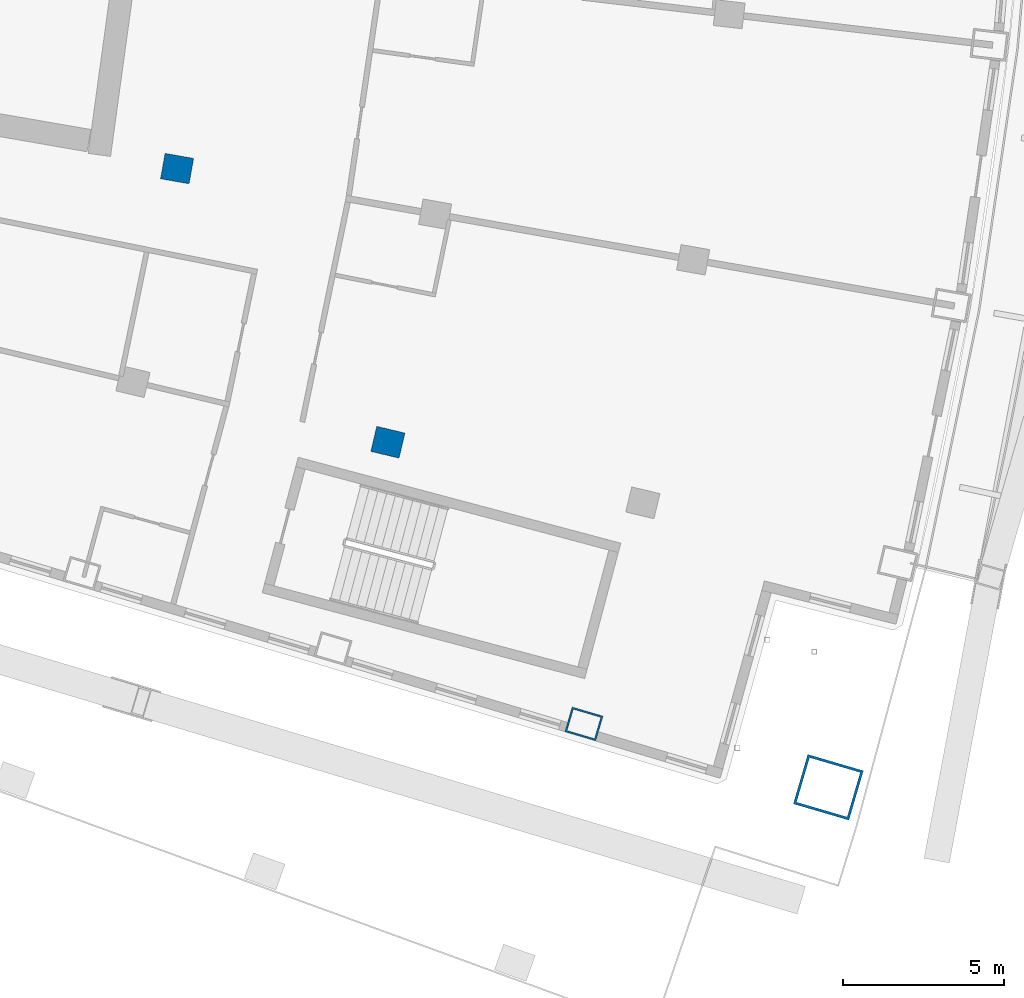
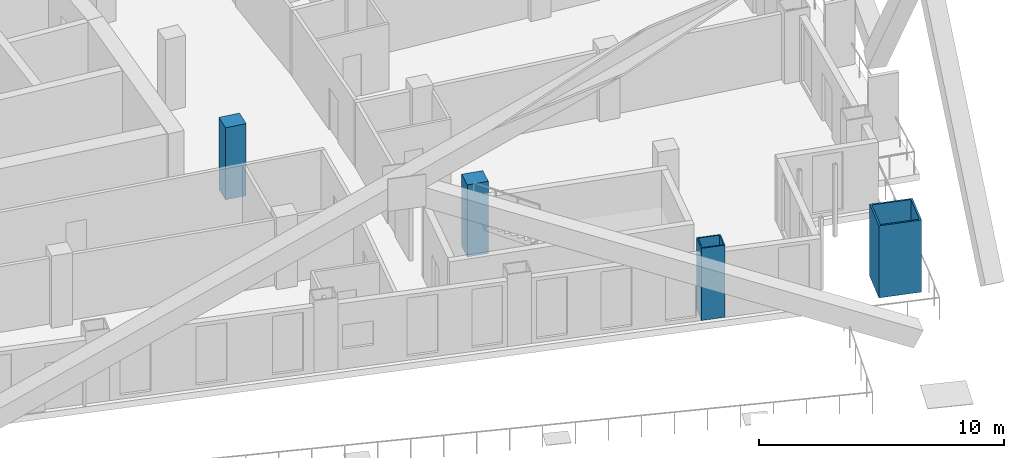
# One storey, part 3 of 20: 4 columns.
"""IFC4 building model written with IfcOpenShell, lengths in metres."""

from ifc_helpers import new_model, si_unit, direction, frame, origin, origin_2d, place, context, subcontext, project, spatial, rectangle, hollow_rectangle, extrude, material, material_profile, profile_set, type_object, element, save


model = new_model("IFC4")

# Units and contexts
model_context = context("Model", 3, precision=1e-05, world=origin(), true_north=direction((0.0, 1.0)))
body_context = subcontext(model_context, "Body", "Model", "MODEL_VIEW")
ifc_project = project(units=[si_unit("LENGTHUNIT", "METRE"), si_unit("AREAUNIT", "SQUARE_METRE"), si_unit("VOLUMEUNIT", "CUBIC_METRE"), si_unit("PLANEANGLEUNIT", "RADIAN"), si_unit("MASSUNIT", "GRAM", prefix="KILO")], contexts=[model_context])

# Site, building, storey
site_placement = place(None, origin())
site = spatial("IfcSite", under=ifc_project, at=site_placement, CompositionType="ELEMENT")
building_placement = place(site_placement, origin())
building = spatial("IfcBuilding", under=site, at=building_placement, Name="Alderwake Tower", CompositionType="ELEMENT")
storey_placement = place(building_placement, frame((0.0, 0.0, 138.800048828125)))
storey = spatial("IfcBuildingStorey", under=building, at=storey_placement, Name="L33", CompositionType="ELEMENT", Elevation=138.800048828125)

# Columns
ifc_material_1 = material(Name="Steel ASTM A572 Grade 50 concrete filled C70/85", Category="concrete")
ifc_material_profile_1 = material_profile(ifc_material_1, hollow_rectangle(XDim=0.800048828125, YDim=1.0, WallThickness=0.054931640625, at=origin_2d()), Name="BOX 1000X800X55")
ifc_profile_set_1 = profile_set([ifc_material_profile_1], Name="Steel ASTM A572 Grade 50 concrete filled C70/85")
column_type_1 = type_object("IfcColumnType", Name="End column Z3", PredefinedType="COLUMN", material=ifc_profile_set_1)
column_1_placement = place(storey_placement, frame((46.66015625, 23.599365234375, 0.0), z_axis=(0.0, 0.0, 1.0), x_axis=(0.283195247437, 0.959062277346, 0.0)))
element("IfcColumn", 1, at=column_1_placement, inside=storey, type_object=column_type_1, Name="Column R02-C4", PredefinedType="COLUMN", context=body_context, shape_type="SweptSolid", body=[
    extrude(hollow_rectangle(XDim=0.800048828125, YDim=1.0, WallThickness=0.054931640625, at=origin_2d()), origin(), (0.0, 0.0, 1.0), 3.599853515625),
])
ifc_material_2 = material(Name="Concrete C70/85", Category="concrete")
ifc_material_profile_2 = material_profile(ifc_material_2, rectangle(XDim=0.800048828125, YDim=0.89990234375, at=origin_2d()), Name="RC 900X800")
ifc_profile_set_2 = profile_set([ifc_material_profile_2], Name="Concrete C70/85")
column_type_2 = type_object("IfcColumnType", Name="Interior column Z3", PredefinedType="COLUMN", material=ifc_profile_set_2)
for number, where, z_axis, x_axis, name in (
    (2, (40.57470703125, 32.343994140625, 0.0), (0.0, 0.0, 1.0), (0.231221547198, 0.972901123502, 0.0), "Column R03-C3"),
    (3, (34.03125, 40.83837890625, 0.0), (0.0, 0.0, 1.0), (0.174108800747, 0.984726421654, 0.0), "Column R04-C2"),
):
    element("IfcColumn", number, at=place(storey_placement, frame(where, z_axis=z_axis, x_axis=x_axis)), inside=storey, type_object=column_type_2, Name=name, PredefinedType="COLUMN", context=body_context, shape_type="SweptSolid", body=[
        extrude(rectangle(XDim=0.800048828125, YDim=0.89990234375, at=origin_2d()), origin(), (0.0, 0.0, 1.0), 3.599853515625),
    ])
ifc_material_3 = material(Name="Steel ASTM A572 Grade 50 concrete filled C70/85", Category="concrete")
ifc_material_profile_3 = material_profile(ifc_material_3, hollow_rectangle(XDim=1.60009765625, YDim=1.800048828125, WallThickness=0.080078125, at=origin_2d()), Name="BOX 1800X1600X80")
ifc_profile_set_3 = profile_set([ifc_material_profile_3], Name="Steel ASTM A572 Grade 50 concrete filled C70/85")
column_type_3 = type_object("IfcColumnType", Name="Mega column Z3", PredefinedType="COLUMN", material=ifc_profile_set_3)
column_2_placement = place(storey_placement, frame((54.246826171875, 21.6328125, 0.0), z_axis=(0.0, 0.0, 1.0), x_axis=(0.281395329631, 0.959591928093, 0.0)))
element("IfcColumn", 4, at=column_2_placement, inside=storey, type_object=column_type_3, Name="Column R02-C5", PredefinedType="COLUMN", context=body_context, shape_type="SweptSolid", body=[
    extrude(hollow_rectangle(XDim=1.60009765625, YDim=1.800048828125, WallThickness=0.080078125, at=origin_2d()), origin(), (0.0, 0.0, 1.0), 3.599853515625),
])

save(model, "model.ifc")
